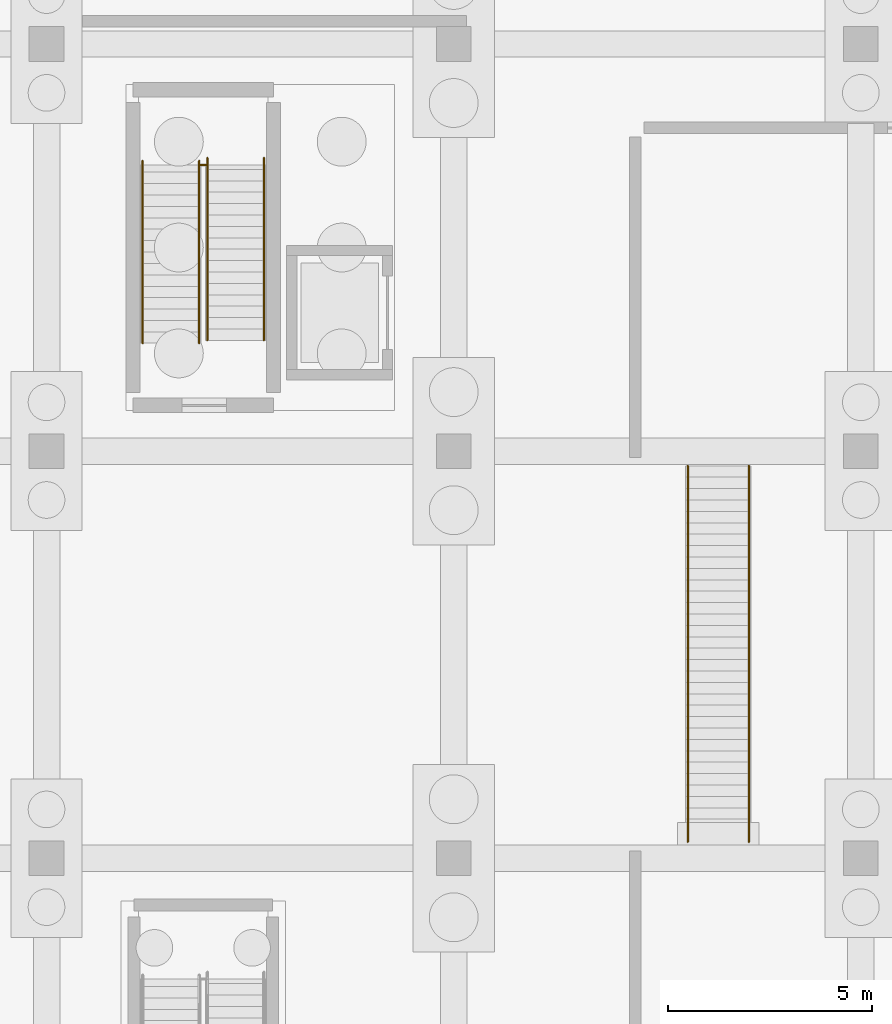
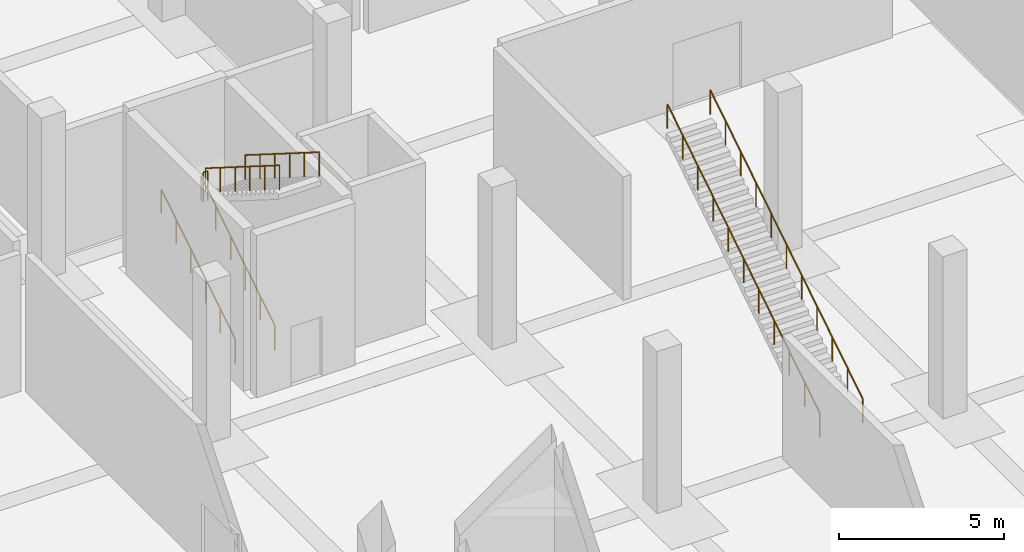
# One storey, part 111 of 140: 7 railings.
"""IFC4 building model written with IfcOpenShell, lengths in metres."""

import ifcopenshell
import ifcopenshell.guid

model = None  # the IFC model being written
_history = None  # IfcOwnerHistory: only IFC2X3 demands one
_inside = {}  # id of a spatial element -> (the spatial element, [elements in it])
_under = {}  # id of a project, library or spatial element -> (it, [spatial elements below it])
_declared = {}  # id of a project -> (the project, [libraries it declares])
_typed = {}  # id of a type object -> (the type object, [elements of that type])
_made_of = {}  # id of a material, layer set ... -> (it, [elements and type objects made of it])


def new_model(schema):
    """Start an empty IFC model of exactly this schema.

    Asked for "IFC4X3", IfcOpenShell would pick the latest addendum, in which some entities
    have other attributes; the version numbers below select the first issue.
    IFC2X3 requires an IfcOwnerHistory on every rooted entity: one is made here for all.
    """
    global model, _history
    if schema == "IFC4X3":
        model = ifcopenshell.file(schema_version=(4, 3, 0, 0))
    else:
        model = ifcopenshell.file(schema=schema)
    _inside.clear()
    _under.clear()
    _declared.clear()
    _typed.clear()
    _made_of.clear()
    _history = None
    if model.schema == "IFC2X3":
        org = make("IfcOrganization", Name="unknown")
        user = make(
            "IfcPersonAndOrganization",
            ThePerson=make("IfcPerson", FamilyName="unknown"),
            TheOrganization=org,
        )
        app = make(
            "IfcApplication",
            ApplicationDeveloper=org,
            Version="unknown",
            ApplicationFullName="unknown",
            ApplicationIdentifier="unknown",
        )
        _history = make(
            "IfcOwnerHistory",
            OwningUser=user,
            OwningApplication=app,
            ChangeAction="ADDED",
            CreationDate=0,
        )
    return model


def make(cls, **values):
    """One entity of the class cls with the attributes given. An attribute that is None is left unset."""
    return model.create_entity(
        cls, **{name: value for name, value in values.items() if value is not None}
    )


def rooted(cls, **values):
    """An entity with a GlobalId (a new one), such as an element, a storey or a relation."""
    return make(cls, GlobalId=ifcopenshell.guid.new(), OwnerHistory=_history, **values)


def si_unit(unit_type, name, prefix=None):
    """IfcSIUnit, for example si_unit("LENGTHUNIT", "METRE", prefix="MILLI")."""
    return make("IfcSIUnit", UnitType=unit_type, Prefix=prefix, Name=name)


def assignment(units):
    """IfcUnitAssignment: the units of a project."""
    return None if units is None else make("IfcUnitAssignment", Units=units)


def point(xyz):
    """IfcCartesianPoint."""
    return None if xyz is None else make("IfcCartesianPoint", Coordinates=xyz)


def direction(xyz):
    """IfcDirection."""
    return None if xyz is None else make("IfcDirection", DirectionRatios=xyz)


def frame(location, z_axis=None, x_axis=None):
    """IfcAxis2Placement3D, a coordinate frame: its origin and axes. An axis left out is left unset."""
    return make(
        "IfcAxis2Placement3D",
        Location=point(location),
        Axis=direction(z_axis),
        RefDirection=direction(x_axis),
    )


def frame_2d(location, x_axis=None):
    """IfcAxis2Placement2D, a coordinate frame in the plane: its origin and x axis."""
    return make(
        "IfcAxis2Placement2D", Location=point(location), RefDirection=direction(x_axis)
    )


def origin():
    """The frame at (0, 0, 0) with its axes left unset."""
    return frame((0.0, 0.0, 0.0))


def origin_2d():
    """The frame at (0, 0) in the plane with its x axis left unset."""
    return frame_2d((0.0, 0.0))


def place(relative_to, where):
    """IfcLocalPlacement: puts the frame where relative to a parent placement (None: the world)."""
    return make(
        "IfcLocalPlacement", PlacementRelTo=relative_to, RelativePlacement=where
    )


def context(
    kind, dimensions, precision=None, world=None, true_north=None, identifier=None
):
    """IfcGeometricRepresentationContext, for example the 3D "Model" context."""
    return make(
        "IfcGeometricRepresentationContext",
        ContextIdentifier=identifier,
        ContextType=kind,
        CoordinateSpaceDimension=dimensions,
        Precision=precision,
        WorldCoordinateSystem=world,
        TrueNorth=true_north,
    )


def subcontext(parent, identifier, kind, view, scale=None):
    """IfcGeometricRepresentationSubContext, for example "Body" below "Model"."""
    return make(
        "IfcGeometricRepresentationSubContext",
        ContextIdentifier=identifier,
        ContextType=kind,
        ParentContext=parent,
        TargetScale=scale,
        TargetView=view,
    )


def project(units=None, contexts=None):
    """IfcProject with its units and contexts."""
    return rooted(
        "IfcProject",
        Name="project",
        RepresentationContexts=contexts,
        UnitsInContext=assignment(units),
    )


def spatial(cls, under=None, at=None, **own):
    """A site, building, storey or space (cls), placed at a placement, below another one or the project."""
    s = rooted(cls, ObjectPlacement=at, **own)
    if under is not None:
        _under.setdefault(under.id(), (under, []))[1].append(s)
    return s


def profile(cls, at=None, kind="AREA", **sizes):
    """A parametric profile (cls). Its sizes go by their IFC names, for example OverallWidth=200.0."""
    return make(cls, ProfileType=kind, Position=at, **sizes)


def circle(**sizes):
    """IfcCircleProfileDef."""
    return profile("IfcCircleProfileDef", **sizes)


def extrude(swept, where, along, depth):
    """IfcExtrudedAreaSolid: the profile swept, set in the frame where, extruded along a direction by depth."""
    return make(
        "IfcExtrudedAreaSolid",
        SweptArea=swept,
        Position=where,
        ExtrudedDirection=direction(along),
        Depth=depth,
    )


def shape(context_of_items, identifier, shape_type, items):
    """IfcShapeRepresentation: the items that make up one representation, for example the "Body"."""
    return make(
        "IfcShapeRepresentation",
        ContextOfItems=context_of_items,
        RepresentationIdentifier=identifier,
        RepresentationType=shape_type,
        Items=items,
    )


def material(Name=None, Category=None):
    """IfcMaterial."""
    return make("IfcMaterial", Name=Name, Category=Category)


def layer(
    of_material, thickness, ventilated=None, Name=None, Category=None, Priority=None
):
    """IfcMaterialLayer: one layer of a wall or slab, of a material (None: an air gap)."""
    return make(
        "IfcMaterialLayer",
        Material=of_material,
        LayerThickness=thickness,
        IsVentilated=ventilated,
        Name=Name,
        Category=Category,
        Priority=Priority,
    )


def layer_set(layers, Name=None):
    """IfcMaterialLayerSet."""
    return make("IfcMaterialLayerSet", MaterialLayers=layers, LayerSetName=Name)


def made_of(thing, what):
    """Note that an element or type object is made of a material, layer set ...; save() writes the relation."""
    if what is not None:
        _made_of.setdefault(what.id(), (what, []))[1].append(thing)
    return thing


def type_object(cls, material=None, **own):
    """A type object (cls), such as IfcWallType, which elements share."""
    return made_of(rooted(cls, **own), material)


def element(
    cls,
    number,
    at=None,
    inside=None,
    cuts=None,
    type_object=None,
    material=None,
    context=None,
    identifier="Body",
    shape_type=None,
    held_by="IfcProductDefinitionShape",
    body=None,
    shapes=None,
    **own,
):
    """One element of the class cls, such as IfcWall. Its Tag is "e" and its number.

    at: its placement. inside: the storey or other place that contains it. cuts: it is an
    opening in that element (IfcRelVoidsElement). A single representation is given by context,
    identifier, shape_type and body (its items); several are given by shapes. held_by: the class
    of the entity that holds the representations. save() writes the other relations.
    """
    e = rooted(cls, Tag="e%d" % number, ObjectPlacement=at, **own)
    if body is not None:
        shapes = [shape(context, identifier, shape_type, body)]
    if shapes is not None:
        e.Representation = make(held_by, Representations=shapes)
    if inside is not None:
        _inside.setdefault(inside.id(), (inside, []))[1].append(e)
    if cuts is not None:
        rooted(
            "IfcRelVoidsElement", RelatingBuildingElement=cuts, RelatedOpeningElement=e
        )
    if type_object is not None:
        _typed.setdefault(type_object.id(), (type_object, []))[1].append(e)
    return made_of(e, material)


def aggregate(whole, parts):
    """IfcRelAggregates: a whole, such as a stair, and the parts it consists of."""
    return rooted("IfcRelAggregates", RelatingObject=whole, RelatedObjects=parts)


def save(model, path):
    """Write the relations noted so far, then the file.

    IfcRelAggregates (storeys below a building ...), IfcRelContainedInSpatialStructure (elements
    in a storey), IfcRelDefinesByType, IfcRelAssociatesMaterial and IfcRelDeclares: one each for
    every whole, place, type object, material and project.
    """
    for whole, parts in _under.values():
        aggregate(whole, parts)
    for where, things in _inside.values():
        rooted(
            "IfcRelContainedInSpatialStructure",
            RelatedElements=things,
            RelatingStructure=where,
        )
    for kind, things in _typed.values():
        rooted("IfcRelDefinesByType", RelatedObjects=things, RelatingType=kind)
    for what, things in _made_of.values():
        rooted("IfcRelAssociatesMaterial", RelatedObjects=things, RelatingMaterial=what)
    for by, libraries in _declared.values():
        rooted("IfcRelDeclares", RelatingContext=by, RelatedDefinitions=libraries)
    model.write(path)


model = new_model("IFC4")

# Units and contexts
model_context = context("Model", 3, precision=1e-05, world=origin(), true_north=direction((0.0, 1.0)))
body_context = subcontext(model_context, "Body", "Model", "MODEL_VIEW")
ifc_project = project(units=[si_unit("LENGTHUNIT", "METRE"), si_unit("AREAUNIT", "SQUARE_METRE"), si_unit("VOLUMEUNIT", "CUBIC_METRE"), si_unit("PLANEANGLEUNIT", "RADIAN"), si_unit("MASSUNIT", "GRAM", prefix="KILO")], contexts=[model_context])

# Site, building, storey
site_placement = place(None, origin())
site = spatial("IfcSite", under=ifc_project, at=site_placement, CompositionType="ELEMENT")
building_placement = place(site_placement, origin())
building = spatial("IfcBuilding", under=site, at=building_placement, Name="Corvandel Quay Wholesale Market", CompositionType="ELEMENT")
storey_placement = place(building_placement, origin())
storey = spatial("IfcBuildingStorey", under=building, at=storey_placement, Name="L00", CompositionType="ELEMENT", Elevation=0.0)

# Railings
ifc_material_1 = material(Name="Painted galvanised tubular steel", Category="steel")
ifc_layer_1 = layer(ifc_material_1, 0.054931640625)
ifc_layer_set_1 = layer_set([ifc_layer_1], Name="Painted galvanised tubular steel")
railing_type_1 = type_object("IfcRailingType", Name="Stairwell Inner Guard Railing GR02 1100mm", PredefinedType="GUARDRAIL", material=ifc_layer_set_1)
railing_placement = place(storey_placement, frame((23.77001953125, 37.030029296875, 3.0)))
element("IfcRailing", 1, at=railing_placement, inside=storey, type_object=railing_type_1, Name="Stair Landing Well Guard 0101", PredefinedType="GUARDRAIL", context=body_context, shape_type="SweptSolid", body=[
    extrude(circle(Radius=0.02392578125, at=origin_2d()), frame((0.0, 0.0, 1.076171875), z_axis=(1.0, 0.0, 0.0), x_axis=(0.0, 1.0, 0.0)), (0.0, 0.0, 1.0), 0.159912109375),
    extrude(circle(Radius=0.02099609375, at=origin_2d()), origin(), (0.0, 0.0, 1.0), 1.052001953125),
    extrude(circle(Radius=0.02099609375, at=origin_2d()), frame((0.159912109375, 0.0, 0.0)), (0.0, 0.0, 1.0), 1.052001953125),
])
ifc_material_2 = material(Name="Brushed austenitic stainless steel Grade 316", Category="steel")
ifc_layer_2 = layer(ifc_material_2, 0.048095703125)
ifc_layer_set_2 = layer_set([ifc_layer_2], Name="Brushed austenitic stainless steel Grade 316")
railing_type_2 = type_object("IfcRailingType", Name="Tubular Stainless Stair Handrail HR01 915mm", PredefinedType="HANDRAIL", material=ifc_layer_set_2)
for number, where, name in (
    (2, (22.360107421875, 32.64990234375, 0.176513671875), "Stair Handrail 0097"),
    (3, (23.75, 32.64990234375, 0.176513671875), "Stair Handrail 0098"),
):
    element("IfcRailing", number, at=place(storey_placement, frame(where)), inside=storey, type_object=railing_type_2, Name=name, PredefinedType="HANDRAIL", context=body_context, shape_type="SweptSolid", body=[
        extrude(circle(Radius=0.02392578125, at=origin_2d()), frame((0.0, 0.0, 0.89111328125), z_axis=(0.0, 0.845997938375, 0.533186166611), x_axis=(-1.0, 0.0, 0.0)), (0.0, 0.0, 1.0), 5.29541015625),
        extrude(circle(Radius=0.02099609375, at=origin_2d()), origin(), (0.0, 0.0, 1.0), 0.866943359375),
        extrude(circle(Radius=0.02099609375, at=origin_2d()), frame((0.0, 0.89599609375, 0.564697265625)), (0.0, 0.0, 1.0), 0.866943359375),
        extrude(circle(Radius=0.02099609375, at=origin_2d()), frame((0.0, 1.7919921875, 1.12939453125)), (0.0, 0.0, 1.0), 0.866943359375),
        extrude(circle(Radius=0.02099609375, at=origin_2d()), frame((0.0, 2.68798828125, 1.694091796875)), (0.0, 0.0, 1.0), 0.866943359375),
        extrude(circle(Radius=0.02099609375, at=origin_2d()), frame((0.0, 3.583984375, 2.2587890625)), (0.0, 0.0, 1.0), 0.866943359375),
        extrude(circle(Radius=0.02099609375, at=origin_2d()), frame((0.0, 4.47998046875, 2.823486328125)), (0.0, 0.0, 1.0), 0.866943359375),
    ])
for number, where, name in (
    (4, (23.949951171875, 37.199951171875, 3.176513671875), "Stair Handrail 0099"),
    (5, (25.340087890625, 37.199951171875, 3.176513671875), "Stair Handrail 0100"),
):
    element("IfcRailing", number, at=place(storey_placement, frame(where)), inside=storey, type_object=railing_type_2, Name=name, PredefinedType="HANDRAIL", context=body_context, shape_type="SweptSolid", body=[
        extrude(circle(Radius=0.02392578125, at=origin_2d()), frame((0.0, 0.0, 0.89111328125), z_axis=(0.0, -0.845997938375, 0.533186166611), x_axis=(1.0, 0.0, 0.0)), (0.0, 0.0, 1.0), 5.29541015625),
        extrude(circle(Radius=0.02099609375, at=origin_2d()), origin(), (0.0, 0.0, 1.0), 0.866943359375),
        extrude(circle(Radius=0.02099609375, at=origin_2d()), frame((0.0, -0.89599609375, 0.564697265625)), (0.0, 0.0, 1.0), 0.866943359375),
        extrude(circle(Radius=0.02099609375, at=origin_2d()), frame((0.0, -1.7919921875, 1.12939453125)), (0.0, 0.0, 1.0), 0.866943359375),
        extrude(circle(Radius=0.02099609375, at=origin_2d()), frame((0.0, -2.68798828125, 1.694091796875)), (0.0, 0.0, 1.0), 0.866943359375),
        extrude(circle(Radius=0.02099609375, at=origin_2d()), frame((0.0, -3.583984375, 2.2587890625)), (0.0, 0.0, 1.0), 0.866943359375),
        extrude(circle(Radius=0.02099609375, at=origin_2d()), frame((0.0, -4.47998046875, 2.823486328125)), (0.0, 0.0, 1.0), 0.866943359375),
    ])
for number, where, name in (
    (6, (35.75, 20.39990234375, 0.176513671875), "Feature Stair Handrail 0236"),
    (7, (37.25, 20.39990234375, 0.176513671875), "Feature Stair Handrail 0237"),
):
    element("IfcRailing", number, at=place(storey_placement, frame(where)), inside=storey, type_object=railing_type_2, Name=name, PredefinedType="HANDRAIL", context=body_context, shape_type="SweptSolid", body=[
        extrude(circle(Radius=0.02392578125, at=origin_2d()), frame((0.0, 0.0, 0.89111328125), z_axis=(0.0, 0.845996842167, 0.533187905943), x_axis=(-1.0, 0.0, 0.0)), (0.0, 0.0, 1.0), 10.922119140625),
        extrude(circle(Radius=0.02099609375, at=origin_2d()), origin(), (0.0, 0.0, 1.0), 0.866943359375),
        extrude(circle(Radius=0.02099609375, at=origin_2d()), frame((0.0, 0.924072265625, 0.582275390625)), (0.0, 0.0, 1.0), 0.866943359375),
        extrude(circle(Radius=0.02099609375, at=origin_2d()), frame((0.0, 1.847900390625, 1.164794921875)), (0.0, 0.0, 1.0), 0.866943359375),
        extrude(circle(Radius=0.02099609375, at=origin_2d()), frame((0.0, 2.77197265625, 1.7470703125)), (0.0, 0.0, 1.0), 0.866943359375),
        extrude(circle(Radius=0.02099609375, at=origin_2d()), frame((0.0, 3.696044921875, 2.329345703125)), (0.0, 0.0, 1.0), 0.866943359375),
        extrude(circle(Radius=0.02099609375, at=origin_2d()), frame((0.0, 4.6201171875, 2.91162109375)), (0.0, 0.0, 1.0), 0.866943359375),
        extrude(circle(Radius=0.02099609375, at=origin_2d()), frame((0.0, 5.5439453125, 3.494140625)), (0.0, 0.0, 1.0), 0.866943359375),
        extrude(circle(Radius=0.02099609375, at=origin_2d()), frame((0.0, 6.468017578125, 4.076416015625)), (0.0, 0.0, 1.0), 0.866943359375),
        extrude(circle(Radius=0.02099609375, at=origin_2d()), frame((0.0, 7.39208984375, 4.65869140625)), (0.0, 0.0, 1.0), 0.866943359375),
        extrude(circle(Radius=0.02099609375, at=origin_2d()), frame((0.0, 8.31591796875, 5.2412109375)), (0.0, 0.0, 1.0), 0.866943359375),
        extrude(circle(Radius=0.02099609375, at=origin_2d()), frame((0.0, 9.239990234375, 5.823486328125)), (0.0, 0.0, 1.0), 0.866943359375),
    ])

save(model, "model.ifc")
